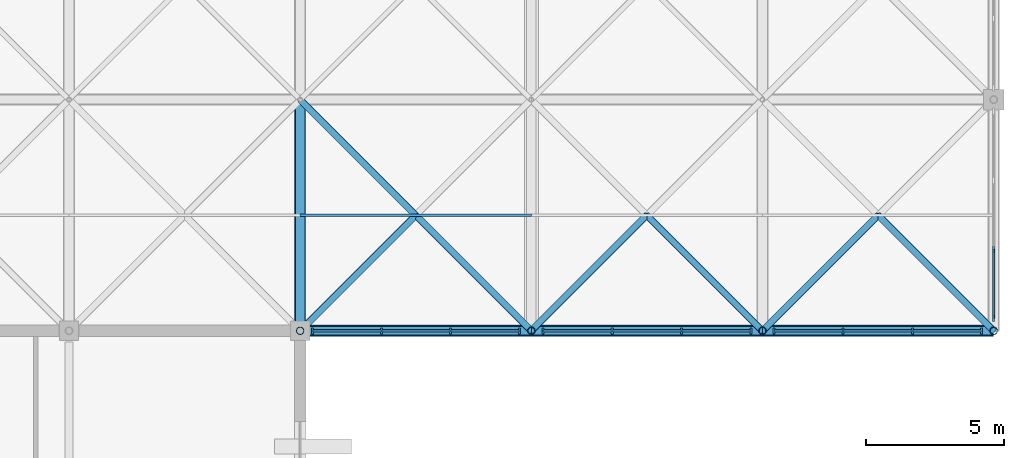
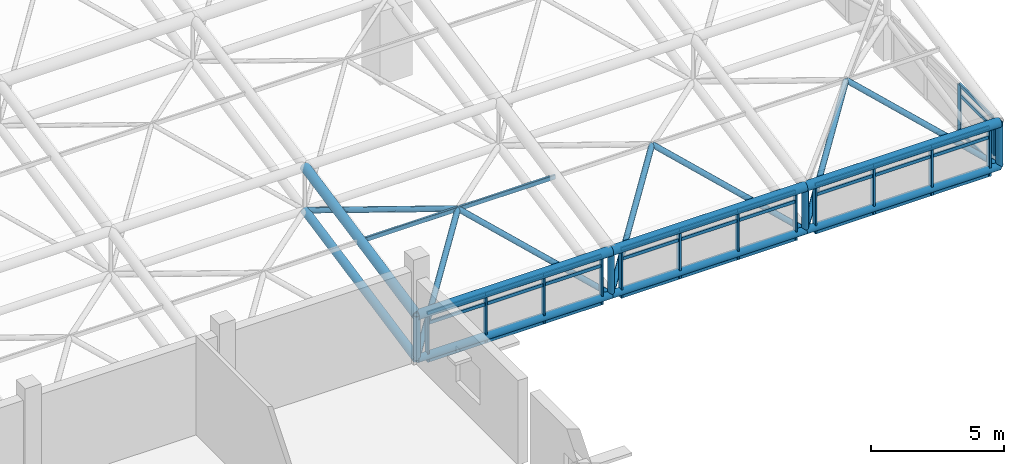
# One storey, part 33 of 110: 64 members, 4 elements without a shape of their own.
"""IFC4 building model written with IfcOpenShell, lengths in metres."""

from ifc_helpers import new_model, si_unit, direction, frame, origin, origin_2d, place, context, subcontext, project, spatial, rectangle, hollow_rectangle, hollow_circle, extrude, material, layer, layer_set, material_profile, profile_set, type_object, element, aggregate, save


model = new_model("IFC4")

# Units and contexts
model_context = context("Model", 3, precision=1e-05, world=origin(), true_north=direction((0.0, 1.0)))
body_context = subcontext(model_context, "Body", "Model", "MODEL_VIEW")
ifc_project = project(units=[si_unit("LENGTHUNIT", "METRE"), si_unit("AREAUNIT", "SQUARE_METRE"), si_unit("VOLUMEUNIT", "CUBIC_METRE"), si_unit("PLANEANGLEUNIT", "RADIAN"), si_unit("MASSUNIT", "GRAM", prefix="KILO")], contexts=[model_context])

# Site, building, storey
site_placement = place(None, origin())
site = spatial("IfcSite", under=ifc_project, at=site_placement, CompositionType="ELEMENT")
building_placement = place(site_placement, origin())
building = spatial("IfcBuilding", under=site, at=building_placement, Name="Qawsi Khor Wholesale Market", CompositionType="ELEMENT")
storey_placement = place(building_placement, frame((0.0, 0.0, 11.39990234375)))
storey = spatial("IfcBuildingStorey", under=building, at=storey_placement, Name="L02", CompositionType="ELEMENT", Elevation=11.39990234375)

# Curtain wall, members
ifc_material_1 = material(Name="Aluminium Anodised Bronze", Category="aluminium")
ifc_layer = layer(ifc_material_1, 0.199951171875, Name="Aluminium Anodised Bronze")
ifc_layer_set = layer_set([ifc_layer], Name="Aluminium Anodised Bronze")
curtain_wall_type = type_object("IfcCurtainWallType", Name="Trading Hall North-Light Curtain Wall CW-03", PredefinedType="NOTDEFINED", material=ifc_layer_set)
curtain_wall_1_placement = place(storey_placement, origin())
curtain_wall_1 = element("IfcCurtainWall", 1, at=curtain_wall_1_placement, inside=storey, type_object=curtain_wall_type, Name="Curtain wall CW-CW-03-L02-130", PredefinedType="NOTDEFINED")
ifc_material_profile_1 = material_profile(ifc_material_1, rectangle(XDim=0.074951171875, YDim=0.219970703125, at=origin_2d()), Name="ALU MULLION 75x220")
ifc_profile_set_1 = profile_set([ifc_material_profile_1], Name="Aluminium Anodised Bronze")
member_type_1 = type_object("IfcMemberType", Name="Curtain Wall Mullion CW-03 ALU MULLION 75x220", PredefinedType="MULLION", material=ifc_profile_set_1)
member_1_placement = place(storey_placement, frame((218.39990234375, 42.447509765625, -0.289794921875), z_axis=(0.0, 0.0, 1.0), x_axis=(1.0, 0.0, 0.0)))
member_1 = element("IfcMember", 2, at=member_1_placement, type_object=member_type_1, Name="Mullion CW-CW-03-L02-130-M00", PredefinedType="MULLION", context=body_context, shape_type="SweptSolid", body=[
    extrude(rectangle(XDim=0.074951171875, YDim=0.219970703125, at=origin_2d()), origin(), (0.0, 0.0, 1.0), 2.18994140625),
])
member_2_placement = place(storey_placement, frame((218.39990234375, 44.95751953125, -0.289794921875), z_axis=(0.0, 0.0, 1.0), x_axis=(1.0, 0.0, 0.0)))
member_2 = element("IfcMember", 3, at=member_2_placement, type_object=member_type_1, Name="Mullion CW-CW-03-L02-130-M01", PredefinedType="MULLION", context=body_context, shape_type="SweptSolid", body=[
    extrude(rectangle(XDim=0.074951171875, YDim=0.219970703125, at=origin_2d()), origin(), (0.0, 0.0, 1.0), 2.18994140625),
])

curtain_wall_2_placement = place(storey_placement, origin())
curtain_wall_2 = element("IfcCurtainWall", 4, at=curtain_wall_2_placement, inside=storey, type_object=curtain_wall_type, Name="Curtain wall CW-CW-03-L02-154", PredefinedType="NOTDEFINED")
member_3_placement = place(storey_placement, frame((193.6474609375, 42.0, -0.289794921875), z_axis=(0.0, 0.0, 1.0), x_axis=(1.0, 0.0, 0.0)))
member_3 = element("IfcMember", 5, at=member_3_placement, type_object=member_type_1, Name="Mullion CW-CW-03-L02-154-M00", PredefinedType="MULLION", context=body_context, shape_type="SweptSolid", body=[
    extrude(rectangle(XDim=0.074951171875, YDim=0.219970703125, at=origin_2d()), origin(), (0.0, 0.0, 1.0), 2.18994140625),
])
member_4_placement = place(storey_placement, frame((196.157470703125, 42.0, -0.289794921875), z_axis=(0.0, 0.0, 1.0), x_axis=(1.0, 0.0, 0.0)))
member_4 = element("IfcMember", 6, at=member_4_placement, type_object=member_type_1, Name="Mullion CW-CW-03-L02-154-M01", PredefinedType="MULLION", context=body_context, shape_type="SweptSolid", body=[
    extrude(rectangle(XDim=0.074951171875, YDim=0.219970703125, at=origin_2d()), origin(), (0.0, 0.0, 1.0), 2.18994140625),
])
member_5_placement = place(storey_placement, frame((198.66748046875, 42.0, -0.289794921875), z_axis=(0.0, 0.0, 1.0), x_axis=(1.0, 0.0, 0.0)))
member_5 = element("IfcMember", 7, at=member_5_placement, type_object=member_type_1, Name="Mullion CW-CW-03-L02-154-M02", PredefinedType="MULLION", context=body_context, shape_type="SweptSolid", body=[
    extrude(rectangle(XDim=0.074951171875, YDim=0.219970703125, at=origin_2d()), origin(), (0.0, 0.0, 1.0), 2.18994140625),
])
member_6_placement = place(storey_placement, frame((201.177490234375, 42.0, -0.289794921875), z_axis=(0.0, 0.0, 1.0), x_axis=(1.0, 0.0, 0.0)))
member_6 = element("IfcMember", 8, at=member_6_placement, type_object=member_type_1, Name="Mullion CW-CW-03-L02-154-M03", PredefinedType="MULLION", context=body_context, shape_type="SweptSolid", body=[
    extrude(rectangle(XDim=0.074951171875, YDim=0.219970703125, at=origin_2d()), origin(), (0.0, 0.0, 1.0), 2.18994140625),
])

curtain_wall_3_placement = place(storey_placement, origin())
curtain_wall_3 = element("IfcCurtainWall", 9, at=curtain_wall_3_placement, inside=storey, type_object=curtain_wall_type, Name="Curtain wall CW-CW-03-L02-155", PredefinedType="NOTDEFINED")
member_7_placement = place(storey_placement, frame((202.0224609375, 42.0, -0.289794921875), z_axis=(0.0, 0.0, 1.0), x_axis=(1.0, 0.0, 0.0)))
member_7 = element("IfcMember", 10, at=member_7_placement, type_object=member_type_1, Name="Mullion CW-CW-03-L02-155-M00", PredefinedType="MULLION", context=body_context, shape_type="SweptSolid", body=[
    extrude(rectangle(XDim=0.074951171875, YDim=0.219970703125, at=origin_2d()), origin(), (0.0, 0.0, 1.0), 2.18994140625),
])
member_8_placement = place(storey_placement, frame((204.540771484375, 42.0, -0.289794921875), z_axis=(0.0, 0.0, 1.0), x_axis=(1.0, 0.0, 0.0)))
member_8 = element("IfcMember", 11, at=member_8_placement, type_object=member_type_1, Name="Mullion CW-CW-03-L02-155-M01", PredefinedType="MULLION", context=body_context, shape_type="SweptSolid", body=[
    extrude(rectangle(XDim=0.074951171875, YDim=0.219970703125, at=origin_2d()), origin(), (0.0, 0.0, 1.0), 2.18994140625),
])
member_9_placement = place(storey_placement, frame((207.05908203125, 42.0, -0.289794921875), z_axis=(0.0, 0.0, 1.0), x_axis=(1.0, 0.0, 0.0)))
member_9 = element("IfcMember", 12, at=member_9_placement, type_object=member_type_1, Name="Mullion CW-CW-03-L02-155-M02", PredefinedType="MULLION", context=body_context, shape_type="SweptSolid", body=[
    extrude(rectangle(XDim=0.074951171875, YDim=0.219970703125, at=origin_2d()), origin(), (0.0, 0.0, 1.0), 2.18994140625),
])
member_10_placement = place(storey_placement, frame((209.577392578125, 42.0, -0.289794921875), z_axis=(0.0, 0.0, 1.0), x_axis=(1.0, 0.0, 0.0)))
member_10 = element("IfcMember", 13, at=member_10_placement, type_object=member_type_1, Name="Mullion CW-CW-03-L02-155-M03", PredefinedType="MULLION", context=body_context, shape_type="SweptSolid", body=[
    extrude(rectangle(XDim=0.074951171875, YDim=0.219970703125, at=origin_2d()), origin(), (0.0, 0.0, 1.0), 2.18994140625),
])

curtain_wall_4_placement = place(storey_placement, origin())
curtain_wall_4 = element("IfcCurtainWall", 14, at=curtain_wall_4_placement, inside=storey, type_object=curtain_wall_type, Name="Curtain wall CW-CW-03-L02-156", PredefinedType="NOTDEFINED")
member_11_placement = place(storey_placement, frame((210.422607421875, 42.0, -0.289794921875), z_axis=(0.0, 0.0, 1.0), x_axis=(1.0, 0.0, 0.0)))
member_11 = element("IfcMember", 15, at=member_11_placement, type_object=member_type_1, Name="Mullion CW-CW-03-L02-156-M00", PredefinedType="MULLION", context=body_context, shape_type="SweptSolid", body=[
    extrude(rectangle(XDim=0.074951171875, YDim=0.219970703125, at=origin_2d()), origin(), (0.0, 0.0, 1.0), 2.18994140625),
])
member_12_placement = place(storey_placement, frame((212.9326171875, 42.0, -0.289794921875), z_axis=(0.0, 0.0, 1.0), x_axis=(1.0, 0.0, 0.0)))
member_12 = element("IfcMember", 16, at=member_12_placement, type_object=member_type_1, Name="Mullion CW-CW-03-L02-156-M01", PredefinedType="MULLION", context=body_context, shape_type="SweptSolid", body=[
    extrude(rectangle(XDim=0.074951171875, YDim=0.219970703125, at=origin_2d()), origin(), (0.0, 0.0, 1.0), 2.18994140625),
])
member_13_placement = place(storey_placement, frame((215.4423828125, 42.0, -0.289794921875), z_axis=(0.0, 0.0, 1.0), x_axis=(1.0, 0.0, 0.0)))
member_13 = element("IfcMember", 17, at=member_13_placement, type_object=member_type_1, Name="Mullion CW-CW-03-L02-156-M02", PredefinedType="MULLION", context=body_context, shape_type="SweptSolid", body=[
    extrude(rectangle(XDim=0.074951171875, YDim=0.219970703125, at=origin_2d()), origin(), (0.0, 0.0, 1.0), 2.18994140625),
])
member_14_placement = place(storey_placement, frame((217.952392578125, 42.0, -0.289794921875), z_axis=(0.0, 0.0, 1.0), x_axis=(1.0, 0.0, 0.0)))
member_14 = element("IfcMember", 18, at=member_14_placement, type_object=member_type_1, Name="Mullion CW-CW-03-L02-156-M03", PredefinedType="MULLION", context=body_context, shape_type="SweptSolid", body=[
    extrude(rectangle(XDim=0.074951171875, YDim=0.219970703125, at=origin_2d()), origin(), (0.0, 0.0, 1.0), 2.18994140625),
])

# Member
ifc_material_profile_2 = material_profile(ifc_material_1, rectangle(XDim=0.070068359375, YDim=0.14990234375, at=origin_2d()), Name="ALU TRANSOM 70x150")
ifc_profile_set_2 = profile_set([ifc_material_profile_2], Name="Aluminium Anodised Bronze")
member_type_2 = type_object("IfcMemberType", Name="Curtain Wall Transom CW-03 ALU TRANSOM 70x150", PredefinedType="USERDEFINED", material=ifc_profile_set_2)
member_15_placement = place(storey_placement, frame((218.39990234375, 42.447509765625, -0.27001953125), z_axis=(0.0, 1.0, 0.0), x_axis=(-1.0, 0.0, 0.0)))
member_15 = element("IfcMember", 19, at=member_15_placement, type_object=member_type_2, Name="Transom CW-CW-03-L02-130-T0_00", ObjectType="TRANSOM", PredefinedType="USERDEFINED", context=body_context, shape_type="SweptSolid", body=[
    extrude(rectangle(XDim=0.070068359375, YDim=0.14990234375, at=origin_2d()), origin(), (0.0, 0.0, 1.0), 2.510009765625),
])

member_16_placement = place(storey_placement, frame((218.39990234375, 42.447509765625, 1.4501953125), z_axis=(0.0, 1.0, 0.0), x_axis=(-1.0, 0.0, 0.0)))
member_16 = element("IfcMember", 20, at=member_16_placement, type_object=member_type_2, Name="Transom CW-CW-03-L02-130-T1_00", ObjectType="TRANSOM", PredefinedType="USERDEFINED", context=body_context, shape_type="SweptSolid", body=[
    extrude(rectangle(XDim=0.070068359375, YDim=0.14990234375, at=origin_2d()), origin(), (0.0, 0.0, 1.0), 2.510009765625),
])

member_17_placement = place(storey_placement, frame((218.39990234375, 42.447509765625, 1.900146484375), z_axis=(0.0, 1.0, 0.0), x_axis=(-1.0, 0.0, 0.0)))
member_17 = element("IfcMember", 21, at=member_17_placement, type_object=member_type_2, Name="Transom CW-CW-03-L02-130-T2_00", ObjectType="TRANSOM", PredefinedType="USERDEFINED", context=body_context, shape_type="SweptSolid", body=[
    extrude(rectangle(XDim=0.070068359375, YDim=0.14990234375, at=origin_2d()), origin(), (0.0, 0.0, 1.0), 2.510009765625),
])

aggregate(curtain_wall_1, [member_1, member_2, member_15, member_16, member_17])

member_18_placement = place(storey_placement, frame((193.6474609375, 42.0, -0.27001953125), z_axis=(1.0, 0.0, 0.0), x_axis=(0.0, 1.0, 0.0)))
member_18 = element("IfcMember", 22, at=member_18_placement, type_object=member_type_2, Name="Transom CW-CW-03-L02-154-T0_00", ObjectType="TRANSOM", PredefinedType="USERDEFINED", context=body_context, shape_type="SweptSolid", body=[
    extrude(rectangle(XDim=0.070068359375, YDim=0.14990234375, at=origin_2d()), origin(), (0.0, 0.0, 1.0), 2.510009765625),
])

member_19_placement = place(storey_placement, frame((196.157470703125, 42.0, -0.27001953125), z_axis=(1.0, 0.0, 0.0), x_axis=(0.0, 1.0, 0.0)))
member_19 = element("IfcMember", 23, at=member_19_placement, type_object=member_type_2, Name="Transom CW-CW-03-L02-154-T0_01", ObjectType="TRANSOM", PredefinedType="USERDEFINED", context=body_context, shape_type="SweptSolid", body=[
    extrude(rectangle(XDim=0.070068359375, YDim=0.14990234375, at=origin_2d()), origin(), (0.0, 0.0, 1.0), 2.510009765625),
])

member_20_placement = place(storey_placement, frame((198.66748046875, 42.0, -0.27001953125), z_axis=(1.0, 0.0, 0.0), x_axis=(0.0, 1.0, 0.0)))
member_20 = element("IfcMember", 24, at=member_20_placement, type_object=member_type_2, Name="Transom CW-CW-03-L02-154-T0_02", ObjectType="TRANSOM", PredefinedType="USERDEFINED", context=body_context, shape_type="SweptSolid", body=[
    extrude(rectangle(XDim=0.070068359375, YDim=0.14990234375, at=origin_2d()), origin(), (0.0, 0.0, 1.0), 2.510009765625),
])

member_21_placement = place(storey_placement, frame((193.6474609375, 42.0, 1.4501953125), z_axis=(1.0, 0.0, 0.0), x_axis=(0.0, 1.0, 0.0)))
member_21 = element("IfcMember", 25, at=member_21_placement, type_object=member_type_2, Name="Transom CW-CW-03-L02-154-T1_00", ObjectType="TRANSOM", PredefinedType="USERDEFINED", context=body_context, shape_type="SweptSolid", body=[
    extrude(rectangle(XDim=0.070068359375, YDim=0.14990234375, at=origin_2d()), origin(), (0.0, 0.0, 1.0), 2.510009765625),
])

member_22_placement = place(storey_placement, frame((196.157470703125, 42.0, 1.4501953125), z_axis=(1.0, 0.0, 0.0), x_axis=(0.0, 1.0, 0.0)))
member_22 = element("IfcMember", 26, at=member_22_placement, type_object=member_type_2, Name="Transom CW-CW-03-L02-154-T1_01", ObjectType="TRANSOM", PredefinedType="USERDEFINED", context=body_context, shape_type="SweptSolid", body=[
    extrude(rectangle(XDim=0.070068359375, YDim=0.14990234375, at=origin_2d()), origin(), (0.0, 0.0, 1.0), 2.510009765625),
])

member_23_placement = place(storey_placement, frame((198.66748046875, 42.0, 1.4501953125), z_axis=(1.0, 0.0, 0.0), x_axis=(0.0, 1.0, 0.0)))
member_23 = element("IfcMember", 27, at=member_23_placement, type_object=member_type_2, Name="Transom CW-CW-03-L02-154-T1_02", ObjectType="TRANSOM", PredefinedType="USERDEFINED", context=body_context, shape_type="SweptSolid", body=[
    extrude(rectangle(XDim=0.070068359375, YDim=0.14990234375, at=origin_2d()), origin(), (0.0, 0.0, 1.0), 2.510009765625),
])

member_24_placement = place(storey_placement, frame((193.6474609375, 42.0, 1.900146484375), z_axis=(1.0, 0.0, 0.0), x_axis=(0.0, 1.0, 0.0)))
member_24 = element("IfcMember", 28, at=member_24_placement, type_object=member_type_2, Name="Transom CW-CW-03-L02-154-T2_00", ObjectType="TRANSOM", PredefinedType="USERDEFINED", context=body_context, shape_type="SweptSolid", body=[
    extrude(rectangle(XDim=0.070068359375, YDim=0.14990234375, at=origin_2d()), origin(), (0.0, 0.0, 1.0), 2.510009765625),
])

member_25_placement = place(storey_placement, frame((196.157470703125, 42.0, 1.900146484375), z_axis=(1.0, 0.0, 0.0), x_axis=(0.0, 1.0, 0.0)))
member_25 = element("IfcMember", 29, at=member_25_placement, type_object=member_type_2, Name="Transom CW-CW-03-L02-154-T2_01", ObjectType="TRANSOM", PredefinedType="USERDEFINED", context=body_context, shape_type="SweptSolid", body=[
    extrude(rectangle(XDim=0.070068359375, YDim=0.14990234375, at=origin_2d()), origin(), (0.0, 0.0, 1.0), 2.510009765625),
])

member_26_placement = place(storey_placement, frame((198.66748046875, 42.0, 1.900146484375), z_axis=(1.0, 0.0, 0.0), x_axis=(0.0, 1.0, 0.0)))
member_26 = element("IfcMember", 30, at=member_26_placement, type_object=member_type_2, Name="Transom CW-CW-03-L02-154-T2_02", ObjectType="TRANSOM", PredefinedType="USERDEFINED", context=body_context, shape_type="SweptSolid", body=[
    extrude(rectangle(XDim=0.070068359375, YDim=0.14990234375, at=origin_2d()), origin(), (0.0, 0.0, 1.0), 2.510009765625),
])

aggregate(curtain_wall_2, [member_3, member_4, member_5, member_6, member_18, member_19, member_20, member_21, member_22, member_23, member_24, member_25, member_26])

member_27_placement = place(storey_placement, frame((202.0224609375, 42.0, -0.27001953125), z_axis=(1.0, 0.0, 0.0), x_axis=(0.0, 1.0, 0.0)))
member_27 = element("IfcMember", 31, at=member_27_placement, type_object=member_type_2, Name="Transom CW-CW-03-L02-155-T0_00", ObjectType="TRANSOM", PredefinedType="USERDEFINED", context=body_context, shape_type="SweptSolid", body=[
    extrude(rectangle(XDim=0.070068359375, YDim=0.14990234375, at=origin_2d()), origin(), (0.0, 0.0, 1.0), 2.518310546875),
])

member_28_placement = place(storey_placement, frame((204.540771484375, 42.0, -0.27001953125), z_axis=(1.0, 0.0, 0.0), x_axis=(0.0, 1.0, 0.0)))
member_28 = element("IfcMember", 32, at=member_28_placement, type_object=member_type_2, Name="Transom CW-CW-03-L02-155-T0_01", ObjectType="TRANSOM", PredefinedType="USERDEFINED", context=body_context, shape_type="SweptSolid", body=[
    extrude(rectangle(XDim=0.070068359375, YDim=0.14990234375, at=origin_2d()), origin(), (0.0, 0.0, 1.0), 2.518310546875),
])

member_29_placement = place(storey_placement, frame((207.05908203125, 42.0, -0.27001953125), z_axis=(1.0, 0.0, 0.0), x_axis=(0.0, 1.0, 0.0)))
member_29 = element("IfcMember", 33, at=member_29_placement, type_object=member_type_2, Name="Transom CW-CW-03-L02-155-T0_02", ObjectType="TRANSOM", PredefinedType="USERDEFINED", context=body_context, shape_type="SweptSolid", body=[
    extrude(rectangle(XDim=0.070068359375, YDim=0.14990234375, at=origin_2d()), origin(), (0.0, 0.0, 1.0), 2.518310546875),
])

member_30_placement = place(storey_placement, frame((202.0224609375, 42.0, 1.4501953125), z_axis=(1.0, 0.0, 0.0), x_axis=(0.0, 1.0, 0.0)))
member_30 = element("IfcMember", 34, at=member_30_placement, type_object=member_type_2, Name="Transom CW-CW-03-L02-155-T1_00", ObjectType="TRANSOM", PredefinedType="USERDEFINED", context=body_context, shape_type="SweptSolid", body=[
    extrude(rectangle(XDim=0.070068359375, YDim=0.14990234375, at=origin_2d()), origin(), (0.0, 0.0, 1.0), 2.518310546875),
])

member_31_placement = place(storey_placement, frame((204.540771484375, 42.0, 1.4501953125), z_axis=(1.0, 0.0, 0.0), x_axis=(0.0, 1.0, 0.0)))
member_31 = element("IfcMember", 35, at=member_31_placement, type_object=member_type_2, Name="Transom CW-CW-03-L02-155-T1_01", ObjectType="TRANSOM", PredefinedType="USERDEFINED", context=body_context, shape_type="SweptSolid", body=[
    extrude(rectangle(XDim=0.070068359375, YDim=0.14990234375, at=origin_2d()), origin(), (0.0, 0.0, 1.0), 2.518310546875),
])

member_32_placement = place(storey_placement, frame((207.05908203125, 42.0, 1.4501953125), z_axis=(1.0, 0.0, 0.0), x_axis=(0.0, 1.0, 0.0)))
member_32 = element("IfcMember", 36, at=member_32_placement, type_object=member_type_2, Name="Transom CW-CW-03-L02-155-T1_02", ObjectType="TRANSOM", PredefinedType="USERDEFINED", context=body_context, shape_type="SweptSolid", body=[
    extrude(rectangle(XDim=0.070068359375, YDim=0.14990234375, at=origin_2d()), origin(), (0.0, 0.0, 1.0), 2.518310546875),
])

member_33_placement = place(storey_placement, frame((202.0224609375, 42.0, 1.900146484375), z_axis=(1.0, 0.0, 0.0), x_axis=(0.0, 1.0, 0.0)))
member_33 = element("IfcMember", 37, at=member_33_placement, type_object=member_type_2, Name="Transom CW-CW-03-L02-155-T2_00", ObjectType="TRANSOM", PredefinedType="USERDEFINED", context=body_context, shape_type="SweptSolid", body=[
    extrude(rectangle(XDim=0.070068359375, YDim=0.14990234375, at=origin_2d()), origin(), (0.0, 0.0, 1.0), 2.518310546875),
])

member_34_placement = place(storey_placement, frame((204.540771484375, 42.0, 1.900146484375), z_axis=(1.0, 0.0, 0.0), x_axis=(0.0, 1.0, 0.0)))
member_34 = element("IfcMember", 38, at=member_34_placement, type_object=member_type_2, Name="Transom CW-CW-03-L02-155-T2_01", ObjectType="TRANSOM", PredefinedType="USERDEFINED", context=body_context, shape_type="SweptSolid", body=[
    extrude(rectangle(XDim=0.070068359375, YDim=0.14990234375, at=origin_2d()), origin(), (0.0, 0.0, 1.0), 2.518310546875),
])

member_35_placement = place(storey_placement, frame((207.05908203125, 42.0, 1.900146484375), z_axis=(1.0, 0.0, 0.0), x_axis=(0.0, 1.0, 0.0)))
member_35 = element("IfcMember", 39, at=member_35_placement, type_object=member_type_2, Name="Transom CW-CW-03-L02-155-T2_02", ObjectType="TRANSOM", PredefinedType="USERDEFINED", context=body_context, shape_type="SweptSolid", body=[
    extrude(rectangle(XDim=0.070068359375, YDim=0.14990234375, at=origin_2d()), origin(), (0.0, 0.0, 1.0), 2.518310546875),
])

aggregate(curtain_wall_3, [member_7, member_8, member_9, member_10, member_27, member_28, member_29, member_30, member_31, member_32, member_33, member_34, member_35])

member_36_placement = place(storey_placement, frame((210.422607421875, 42.0, -0.27001953125), z_axis=(1.0, 0.0, 0.0), x_axis=(0.0, 1.0, 0.0)))
member_36 = element("IfcMember", 40, at=member_36_placement, type_object=member_type_2, Name="Transom CW-CW-03-L02-156-T0_00", ObjectType="TRANSOM", PredefinedType="USERDEFINED", context=body_context, shape_type="SweptSolid", body=[
    extrude(rectangle(XDim=0.070068359375, YDim=0.14990234375, at=origin_2d()), origin(), (0.0, 0.0, 1.0), 2.510009765625),
])

member_37_placement = place(storey_placement, frame((212.9326171875, 42.0, -0.27001953125), z_axis=(1.0, 0.0, 0.0), x_axis=(0.0, 1.0, 0.0)))
member_37 = element("IfcMember", 41, at=member_37_placement, type_object=member_type_2, Name="Transom CW-CW-03-L02-156-T0_01", ObjectType="TRANSOM", PredefinedType="USERDEFINED", context=body_context, shape_type="SweptSolid", body=[
    extrude(rectangle(XDim=0.070068359375, YDim=0.14990234375, at=origin_2d()), origin(), (0.0, 0.0, 1.0), 2.509765625),
])

member_38_placement = place(storey_placement, frame((215.4423828125, 42.0, -0.27001953125), z_axis=(1.0, 0.0, 0.0), x_axis=(0.0, 1.0, 0.0)))
member_38 = element("IfcMember", 42, at=member_38_placement, type_object=member_type_2, Name="Transom CW-CW-03-L02-156-T0_02", ObjectType="TRANSOM", PredefinedType="USERDEFINED", context=body_context, shape_type="SweptSolid", body=[
    extrude(rectangle(XDim=0.070068359375, YDim=0.14990234375, at=origin_2d()), origin(), (0.0, 0.0, 1.0), 2.510009765625),
])

member_39_placement = place(storey_placement, frame((210.422607421875, 42.0, 1.4501953125), z_axis=(1.0, 0.0, 0.0), x_axis=(0.0, 1.0, 0.0)))
member_39 = element("IfcMember", 43, at=member_39_placement, type_object=member_type_2, Name="Transom CW-CW-03-L02-156-T1_00", ObjectType="TRANSOM", PredefinedType="USERDEFINED", context=body_context, shape_type="SweptSolid", body=[
    extrude(rectangle(XDim=0.070068359375, YDim=0.14990234375, at=origin_2d()), origin(), (0.0, 0.0, 1.0), 2.510009765625),
])

member_40_placement = place(storey_placement, frame((212.9326171875, 42.0, 1.4501953125), z_axis=(1.0, 0.0, 0.0), x_axis=(0.0, 1.0, 0.0)))
member_40 = element("IfcMember", 44, at=member_40_placement, type_object=member_type_2, Name="Transom CW-CW-03-L02-156-T1_01", ObjectType="TRANSOM", PredefinedType="USERDEFINED", context=body_context, shape_type="SweptSolid", body=[
    extrude(rectangle(XDim=0.070068359375, YDim=0.14990234375, at=origin_2d()), origin(), (0.0, 0.0, 1.0), 2.509765625),
])

member_41_placement = place(storey_placement, frame((215.4423828125, 42.0, 1.4501953125), z_axis=(1.0, 0.0, 0.0), x_axis=(0.0, 1.0, 0.0)))
member_41 = element("IfcMember", 45, at=member_41_placement, type_object=member_type_2, Name="Transom CW-CW-03-L02-156-T1_02", ObjectType="TRANSOM", PredefinedType="USERDEFINED", context=body_context, shape_type="SweptSolid", body=[
    extrude(rectangle(XDim=0.070068359375, YDim=0.14990234375, at=origin_2d()), origin(), (0.0, 0.0, 1.0), 2.510009765625),
])

member_42_placement = place(storey_placement, frame((210.422607421875, 42.0, 1.900146484375), z_axis=(1.0, 0.0, 0.0), x_axis=(0.0, 1.0, 0.0)))
member_42 = element("IfcMember", 46, at=member_42_placement, type_object=member_type_2, Name="Transom CW-CW-03-L02-156-T2_00", ObjectType="TRANSOM", PredefinedType="USERDEFINED", context=body_context, shape_type="SweptSolid", body=[
    extrude(rectangle(XDim=0.070068359375, YDim=0.14990234375, at=origin_2d()), origin(), (0.0, 0.0, 1.0), 2.510009765625),
])

member_43_placement = place(storey_placement, frame((212.9326171875, 42.0, 1.900146484375), z_axis=(1.0, 0.0, 0.0), x_axis=(0.0, 1.0, 0.0)))
member_43 = element("IfcMember", 47, at=member_43_placement, type_object=member_type_2, Name="Transom CW-CW-03-L02-156-T2_01", ObjectType="TRANSOM", PredefinedType="USERDEFINED", context=body_context, shape_type="SweptSolid", body=[
    extrude(rectangle(XDim=0.070068359375, YDim=0.14990234375, at=origin_2d()), origin(), (0.0, 0.0, 1.0), 2.509765625),
])

member_44_placement = place(storey_placement, frame((215.4423828125, 42.0, 1.900146484375), z_axis=(1.0, 0.0, 0.0), x_axis=(0.0, 1.0, 0.0)))
member_44 = element("IfcMember", 48, at=member_44_placement, type_object=member_type_2, Name="Transom CW-CW-03-L02-156-T2_02", ObjectType="TRANSOM", PredefinedType="USERDEFINED", context=body_context, shape_type="SweptSolid", body=[
    extrude(rectangle(XDim=0.070068359375, YDim=0.14990234375, at=origin_2d()), origin(), (0.0, 0.0, 1.0), 2.510009765625),
])

aggregate(curtain_wall_4, [member_11, member_12, member_13, member_14, member_36, member_37, member_38, member_39, member_40, member_41, member_42, member_43, member_44])

# Members
ifc_material_2 = material(Name="Steel S355", Category="steel")
ifc_material_profile_3 = material_profile(ifc_material_2, hollow_circle(Radius=0.177734375, WallThickness=0.01611328125, at=origin_2d()), Name="CHS 355.6x16.0")
ifc_profile_set_3 = profile_set([ifc_material_profile_3], Name="Steel S355")
member_type_3 = type_object("IfcMemberType", Name="Space-Frame Bottom Chord CHS 355.6x16.0", PredefinedType="CHORD", material=ifc_profile_set_3)
member_45_placement = place(storey_placement, frame((193.199951171875, 42.0, -0.02978515625), z_axis=(0.0, 0.980129990483, 0.1983562496), x_axis=(-1.0, 0.0, 0.0)))
element("IfcMember", 49, at=member_45_placement, inside=storey, type_object=member_type_3, Name="Space frame bottom chord Y EH (23,5)", PredefinedType="CHORD", context=body_context, shape_type="SweptSolid", body=[
    extrude(hollow_circle(Radius=0.177734375, WallThickness=0.01611328125, at=origin_2d()), origin(), (0.0, 0.0, 1.0), 8.5703125),
])
ifc_material_profile_4 = material_profile(ifc_material_2, hollow_circle(Radius=0.136474609375, WallThickness=0.012451171875, at=origin_2d()), Name="CHS 273.0x12.5")
ifc_profile_set_4 = profile_set([ifc_material_profile_4], Name="Steel S355")
member_type_4 = type_object("IfcMemberType", Name="Space-Frame Edge Post CHS 273.0x12.5", PredefinedType="POST", material=ifc_profile_set_4)
for number, where, z_axis, x_axis, name in (
    (50, (193.199951171875, 42.0, -0.02978515625), (0.0, 0.0, 1.0), (1.0, 0.0, 0.0), "Space frame post EH (23,5)"),
    (51, (201.60009765625, 42.0, -0.02978515625), (0.0, 0.0, 1.0), (1.0, 0.0, 0.0), "Space frame post EH (24,5)"),
    (52, (210.0, 42.0, -0.02978515625), (0.0, 0.0, 1.0), (1.0, 0.0, 0.0), "Space frame post EH (25,5)"),
    (53, (218.39990234375, 42.0, -0.02978515625), (0.0, 0.0, 1.0), (1.0, 0.0, 0.0), "Space frame post EH (26,5)"),
):
    element("IfcMember", number, at=place(storey_placement, frame(where, z_axis=z_axis, x_axis=x_axis)), inside=storey, type_object=member_type_4, Name=name, PredefinedType="POST", context=body_context, shape_type="SweptSolid", body=[
        extrude(hollow_circle(Radius=0.136474609375, WallThickness=0.012451171875, at=origin_2d()), origin(), (0.0, 0.0, 1.0), 2.0),
    ])
ifc_material_profile_5 = material_profile(ifc_material_2, hollow_circle(Radius=0.122314453125, WallThickness=0.012451171875, at=origin_2d()), Name="CHS 244.5x12.5")
ifc_profile_set_5 = profile_set([ifc_material_profile_5], Name="Steel S355")
member_type_5 = type_object("IfcMemberType", Name="Space-Frame Heavy Diagonal CHS 244.5x12.5", PredefinedType="POST", material=ifc_profile_set_5)
member_46_placement = place(storey_placement, frame((193.199951171875, 42.0, -0.02978515625), z_axis=(0.637521961484, 0.637521961484, 0.432586982294), x_axis=(-0.707106781187, 0.707106781187, 0.0)))
element("IfcMember", 54, at=member_46_placement, inside=storey, type_object=member_type_5, Name="Space frame diagonal EH (23,5)-1", PredefinedType="POST", context=body_context, shape_type="SweptSolid", body=[
    extrude(hollow_circle(Radius=0.122314453125, WallThickness=0.012451171875, at=origin_2d()), origin(), (0.0, 0.0, 1.0), 6.587890625),
])
member_47_placement = place(storey_placement, frame((201.60009765625, 42.0, -0.02978515625), z_axis=(-0.637543957519, 0.637506899628, 0.432576762155), x_axis=(-0.70708622964, -0.707127332136, 0.0)))
element("IfcMember", 55, at=member_47_placement, inside=storey, type_object=member_type_5, Name="Space frame diagonal EH (23,5)-2", PredefinedType="POST", context=body_context, shape_type="SweptSolid", body=[
    extrude(hollow_circle(Radius=0.122314453125, WallThickness=0.012451171875, at=origin_2d()), origin(), (0.0, 0.0, 1.0), 6.588134765625),
])
member_48_placement = place(storey_placement, frame((193.199951171875, 50.39990234375, 1.670166015625), z_axis=(0.694216714393, -0.694216714393, 0.190069216113), x_axis=(0.707106781187, 0.707106781187, 0.0)))
element("IfcMember", 56, at=member_48_placement, inside=storey, type_object=member_type_5, Name="Space frame diagonal EH (23,5)-4", PredefinedType="POST", context=body_context, shape_type="SweptSolid", body=[
    extrude(hollow_circle(Radius=0.122314453125, WallThickness=0.012451171875, at=origin_2d()), origin(), (0.0, 0.0, 1.0), 6.0498046875),
])
for number, where, z_axis, x_axis, name in (
    (57, (201.60009765625, 42.0, -0.02978515625), (0.637521961484, 0.637521961484, 0.432586982294), (-0.707106781187, 0.707106781187, 0.0), "Space frame diagonal EH (24,5)-1"),
    (58, (210.0, 42.0, -0.02978515625), (-0.637521961484, 0.637521961484, 0.432586982294), (-0.707106781187, -0.707106781187, 0.0), "Space frame diagonal EH (24,5)-2"),
    (59, (210.0, 42.0, -0.02978515625), (0.637521961484, 0.637521961484, 0.432586982294), (-0.707106781187, 0.707106781187, 0.0), "Space frame diagonal EH (25,5)-1"),
    (60, (218.39990234375, 42.0, -0.02978515625), (-0.637521961484, 0.637521961484, 0.432586982294), (-0.707106781187, -0.707106781187, 0.0), "Space frame diagonal EH (25,5)-2"),
):
    element("IfcMember", number, at=place(storey_placement, frame(where, z_axis=z_axis, x_axis=x_axis)), inside=storey, type_object=member_type_5, Name=name, PredefinedType="POST", context=body_context, shape_type="SweptSolid", body=[
        extrude(hollow_circle(Radius=0.122314453125, WallThickness=0.012451171875, at=origin_2d()), origin(), (0.0, 0.0, 1.0), 6.587890625),
    ])
ifc_material_profile_6 = material_profile(ifc_material_2, hollow_rectangle(XDim=0.10009765625, YDim=0.199951171875, WallThickness=0.008056640625, InnerFilletRadius=0.008056640625, OuterFilletRadius=0.01611328125, at=origin_2d()), Name="RHS 200x100x8.0")
ifc_profile_set_6 = profile_set([ifc_material_profile_6], Name="Steel S355")
member_type_6 = type_object("IfcMemberType", Name="Space-Frame Purlin RHS 200x100x8.0", PredefinedType="PURLIN", material=ifc_profile_set_6)
member_49_placement = place(storey_placement, frame((193.199951171875, 46.199951171875, 2.820068359375), z_axis=(1.0, 0.0, 0.0), x_axis=(0.0, 1.0, 0.0)))
element("IfcMember", 61, at=member_49_placement, inside=storey, type_object=member_type_6, Name="Space frame purlin EH (23,5)", PredefinedType="PURLIN", context=body_context, shape_type="SweptSolid", body=[
    extrude(hollow_rectangle(XDim=0.10009765625, YDim=0.199951171875, WallThickness=0.008056640625, InnerFilletRadius=0.008056640625, OuterFilletRadius=0.01611328125, at=origin_2d()), origin(), (0.0, 0.0, 1.0), 8.400146484375),
])
ifc_material_profile_7 = material_profile(ifc_material_2, hollow_circle(Radius=0.161865234375, WallThickness=0.01611328125, at=origin_2d()), Name="CHS 323.9x16.0")
ifc_profile_set_7 = profile_set([ifc_material_profile_7], Name="Steel S355")
member_type_7 = type_object("IfcMemberType", Name="Space-Frame Secondary Chord CHS 323.9x16.0", PredefinedType="CHORD", material=ifc_profile_set_7)
member_50_placement = place(storey_placement, frame((193.199951171875, 42.0, -0.02978515625), z_axis=(1.0, 0.0, 0.0), x_axis=(0.0, 1.0, 0.0)))
element("IfcMember", 62, at=member_50_placement, inside=storey, type_object=member_type_7, Name="Space frame bottom chord X EH (23,5)", PredefinedType="CHORD", context=body_context, shape_type="SweptSolid", body=[
    extrude(hollow_circle(Radius=0.161865234375, WallThickness=0.01611328125, at=origin_2d()), origin(), (0.0, 0.0, 1.0), 8.400146484375),
])
for number, where, z_axis, x_axis, name in (
    (63, (201.60009765625, 42.0, -0.02978515625), (1.0, 0.0, 0.0), (0.0, 1.0, 0.0), "Space frame bottom chord X EH (24,5)"),
    (64, (210.0, 42.0, -0.02978515625), (1.0, 0.0, 0.0), (0.0, 1.0, 0.0), "Space frame bottom chord X EH (25,5)"),
):
    element("IfcMember", number, at=place(storey_placement, frame(where, z_axis=z_axis, x_axis=x_axis)), inside=storey, type_object=member_type_7, Name=name, PredefinedType="CHORD", context=body_context, shape_type="SweptSolid", body=[
        extrude(hollow_circle(Radius=0.161865234375, WallThickness=0.01611328125, at=origin_2d()), origin(), (0.0, 0.0, 1.0), 8.39990234375),
    ])
ifc_material_profile_8 = material_profile(ifc_material_2, hollow_circle(Radius=0.203125, WallThickness=0.02001953125, at=origin_2d()), Name="CHS 406.4x20.0")
ifc_profile_set_8 = profile_set([ifc_material_profile_8], Name="Steel S355")
member_type_8 = type_object("IfcMemberType", Name="Space-Frame Top Chord CHS 406.4x20.0", PredefinedType="CHORD", material=ifc_profile_set_8)
member_51_placement = place(storey_placement, frame((193.199951171875, 42.0, 1.97021484375), z_axis=(1.0, 0.0, 0.0), x_axis=(0.0, 1.0, 0.0)))
element("IfcMember", 65, at=member_51_placement, inside=storey, type_object=member_type_8, Name="Space frame top chord X EH (23,5)", PredefinedType="CHORD", context=body_context, shape_type="SweptSolid", body=[
    extrude(hollow_circle(Radius=0.203125, WallThickness=0.02001953125, at=origin_2d()), origin(), (0.0, 0.0, 1.0), 8.400146484375),
])
member_52_placement = place(storey_placement, frame((193.199951171875, 42.0, 1.97021484375), z_axis=(0.0, 0.980129990483, 0.1983562496), x_axis=(-1.0, 0.0, 0.0)))
element("IfcMember", 66, at=member_52_placement, inside=storey, type_object=member_type_8, Name="Space frame top chord Y EH (23,5)", PredefinedType="CHORD", context=body_context, shape_type="SweptSolid", body=[
    extrude(hollow_circle(Radius=0.203125, WallThickness=0.02001953125, at=origin_2d()), origin(), (0.0, 0.0, 1.0), 8.5703125),
])
for number, where, z_axis, x_axis, name in (
    (67, (201.60009765625, 42.0, 1.97021484375), (1.0, 0.0, 0.0), (0.0, 1.0, 0.0), "Space frame top chord X EH (24,5)"),
    (68, (210.0, 42.0, 1.97021484375), (1.0, 0.0, 0.0), (0.0, 1.0, 0.0), "Space frame top chord X EH (25,5)"),
):
    element("IfcMember", number, at=place(storey_placement, frame(where, z_axis=z_axis, x_axis=x_axis)), inside=storey, type_object=member_type_8, Name=name, PredefinedType="CHORD", context=body_context, shape_type="SweptSolid", body=[
        extrude(hollow_circle(Radius=0.203125, WallThickness=0.02001953125, at=origin_2d()), origin(), (0.0, 0.0, 1.0), 8.39990234375),
    ])

save(model, "model.ifc")
